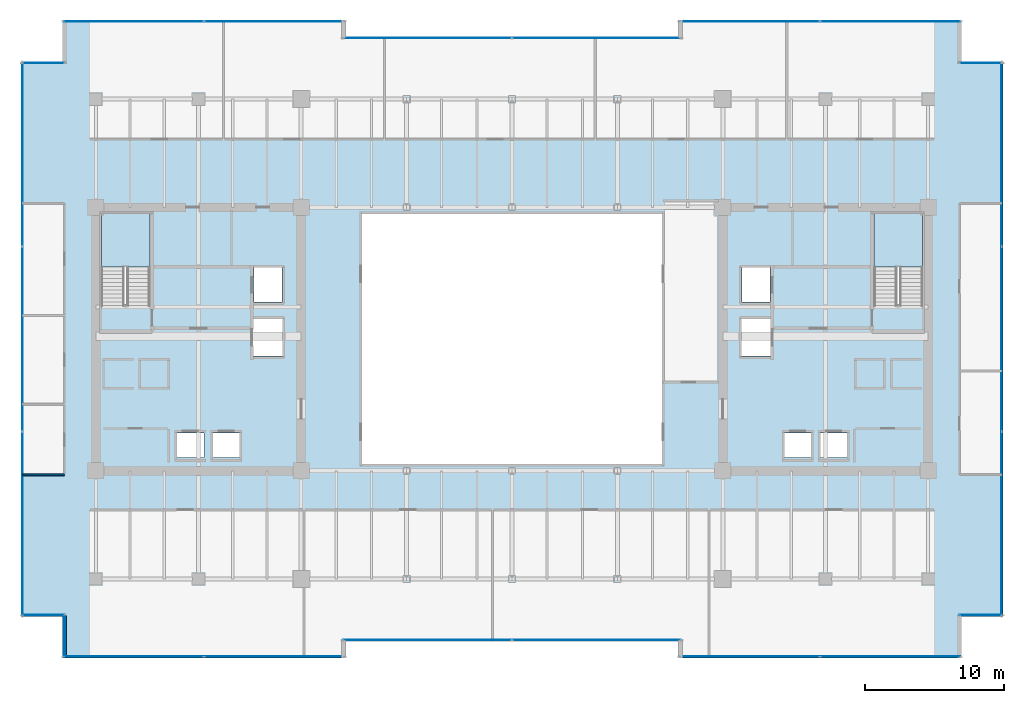
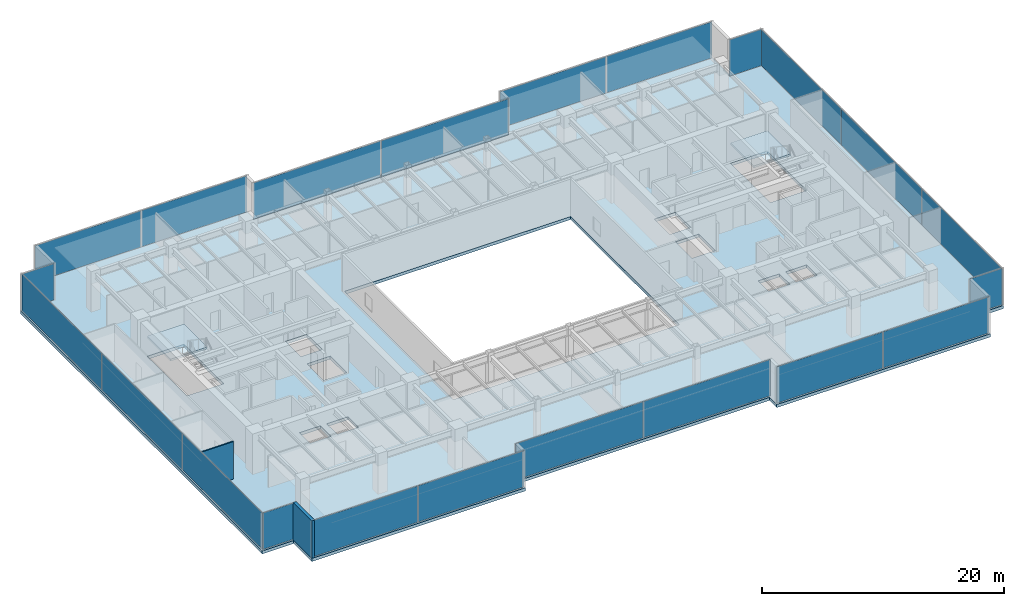
# One storey, part 24 of 34: 22 plates, 3 slabs, 2 walls, 14 elements without a shape of their own.
"""IFC4 building model written with IfcOpenShell, lengths in metres."""

from ifc_helpers import new_model, si_unit, direction, frame, frame_2d, origin, origin_2d, place, context, subcontext, project, spatial, polyline, rectangle, outline, extrude, source, transform, mapped, material, layer, layer_set, type_object, type_shapes, element, aggregate, save


model = new_model("IFC4")

# Units and contexts
model_context = context("Model", 3, precision=1e-05, world=origin(), true_north=direction((0.0, 1.0)))
body_context = subcontext(model_context, "Body", "Model", "MODEL_VIEW")
ifc_project = project(units=[si_unit("LENGTHUNIT", "METRE"), si_unit("AREAUNIT", "SQUARE_METRE"), si_unit("VOLUMEUNIT", "CUBIC_METRE"), si_unit("PLANEANGLEUNIT", "RADIAN"), si_unit("MASSUNIT", "GRAM", prefix="KILO")], contexts=[model_context])

# Site, building, storey
site_placement = place(None, origin())
site = spatial("IfcSite", under=ifc_project, at=site_placement, CompositionType="ELEMENT")
building_placement = place(site_placement, origin())
building = spatial("IfcBuilding", under=site, at=building_placement, Name="Haelvirn Gate Laboratories", CompositionType="ELEMENT")
storey_placement = place(building_placement, frame((0.0, 0.0, 178.89990234375)))
storey = spatial("IfcBuildingStorey", under=building, at=storey_placement, Name="L43", CompositionType="ELEMENT", Elevation=178.89990234375)

# Stair, slab
ifc_material_1 = material(Name="Concrete C40/50", Category="concrete")
stair_type = type_object("IfcStairType", Name="ST-DOG-1650-R22", PredefinedType="HALF_TURN_STAIR", material=ifc_material_1)
stair_1_placement = place(storey_placement, origin())
stair_1 = element("IfcStair", 1, at=stair_1_placement, inside=storey, type_object=stair_type, Name="L43 Escape Stair ST1", PredefinedType="HALF_TURN_STAIR")
ifc_layer_1 = layer(ifc_material_1, 0.199951171875, Name="SL-STAIR-LND")
ifc_layer_set_1 = layer_set([ifc_layer_1], Name="Concrete C40/50")
slab_type_1 = type_object("IfcSlabType", Name="SL-STAIR-LND", PredefinedType="LANDING", material=ifc_layer_set_1)
slab_1_placement = place(storey_placement, frame((0.0, 0.0, 1.85009765625)))
slab_1 = element("IfcSlab", 2, at=slab_1_placement, type_object=slab_type_1, Name="ST1 landing 1", PredefinedType="LANDING", context=body_context, shape_type="SweptSolid", body=[
    extrude(outline(polyline([(11.300048828125, 29.5), (11.300048828125, 33.35009765625), (7.800048828125, 33.35009765625), (7.800048828125, 29.5), (11.300048828125, 29.5)])), origin(), (0.0, 0.0, 1.0), 0.199951171875),
])
aggregate(stair_1, [slab_1])

stair_2_placement = place(storey_placement, origin())
stair_2 = element("IfcStair", 3, at=stair_2_placement, inside=storey, type_object=stair_type, Name="L43 Escape Stair ST2", PredefinedType="HALF_TURN_STAIR")
slab_2_placement = place(storey_placement, frame((0.0, 0.0, 1.85009765625)))
slab_2 = element("IfcSlab", 4, at=slab_2_placement, type_object=slab_type_1, Name="ST2 landing 1", PredefinedType="LANDING", context=body_context, shape_type="SweptSolid", body=[
    extrude(outline(polyline([(67.0, 29.5), (67.0, 33.35009765625), (63.5, 33.35009765625), (63.5, 29.5), (67.0, 29.5)])), origin(), (0.0, 0.0, 1.0), 0.199951171875),
])
aggregate(stair_2, [slab_2])

# Slab
ifc_layer_2 = layer(ifc_material_1, 0.31005859375, Name="SL-Z2-310")
ifc_layer_set_2 = layer_set([ifc_layer_2], Name="Concrete C40/50")
slab_type_2 = type_object("IfcSlabType", Name="SL-Z2-310", PredefinedType="FLOOR", material=ifc_layer_set_2)
slab_3_placement = place(storey_placement, frame((0.0, 0.0, -0.309814453125)))
element("IfcSlab", 5, at=slab_3_placement, inside=storey, type_object=slab_type_2, Name="L43 Structural Slab MAIN", PredefinedType="FLOOR", context=body_context, shape_type="SweptSolid", body=[
    extrude(outline(polyline([(5.0, 1.300048828125), (25.39990234375, 1.300048828125), (25.39990234375, 2.5), (49.39990234375, 2.5), (49.39990234375, 1.300048828125), (69.800048828125, 1.300048828125), (69.800048828125, 4.300048828125), (72.800048828125, 4.300048828125), (72.800048828125, 44.300048828125), (69.800048828125, 44.300048828125), (69.800048828125, 47.300048828125), (49.39990234375, 47.300048828125), (49.39990234375, 46.10009765625), (25.39990234375, 46.10009765625), (25.39990234375, 47.300048828125), (5.0, 47.300048828125), (5.0, 44.300048828125), (2.0, 44.300048828125), (2.0, 4.300048828125), (5.0, 4.300048828125), (5.0, 1.300048828125)]), holes=[polyline([(26.60009765625, 15.300048828125), (48.199951171875, 15.300048828125), (48.199951171875, 33.300048828125), (26.60009765625, 33.300048828125), (26.60009765625, 15.300048828125)]), polyline([(11.300048828125, 26.780029296875), (11.300048828125, 33.35009765625), (7.800048828125, 33.35009765625), (7.800048828125, 26.780029296875), (11.300048828125, 26.780029296875)]), polyline([(67.0, 26.780029296875), (67.0, 33.35009765625), (63.5, 33.35009765625), (63.5, 26.780029296875), (67.0, 26.780029296875)]), polyline([(13.18994140625, 15.77001953125), (15.2099609375, 15.77001953125), (15.2099609375, 17.510009765625), (13.18994140625, 17.510009765625), (13.18994140625, 15.77001953125)]), polyline([(15.7900390625, 15.77001953125), (17.81005859375, 15.77001953125), (17.81005859375, 17.510009765625), (15.7900390625, 17.510009765625), (15.7900390625, 15.77001953125)]), polyline([(18.7900390625, 26.969970703125), (20.81005859375, 26.969970703125), (20.81005859375, 29.510009765625), (18.7900390625, 29.510009765625), (18.7900390625, 26.969970703125)]), polyline([(18.68994140625, 23.070068359375), (20.909912109375, 23.070068359375), (20.909912109375, 25.81005859375), (18.68994140625, 25.81005859375), (18.68994140625, 23.070068359375)]), polyline([(59.590087890625, 15.77001953125), (61.610107421875, 15.77001953125), (61.610107421875, 17.510009765625), (59.590087890625, 17.510009765625), (59.590087890625, 15.77001953125)]), polyline([(56.989990234375, 15.77001953125), (59.010009765625, 15.77001953125), (59.010009765625, 17.510009765625), (56.989990234375, 17.510009765625), (56.989990234375, 15.77001953125)]), polyline([(53.989990234375, 26.969970703125), (56.010009765625, 26.969970703125), (56.010009765625, 29.510009765625), (53.989990234375, 29.510009765625), (53.989990234375, 26.969970703125)]), polyline([(53.889892578125, 23.070068359375), (56.110107421875, 23.070068359375), (56.110107421875, 25.81005859375), (53.889892578125, 25.81005859375), (53.889892578125, 23.070068359375)])]), origin(), (0.0, 0.0, 1.0), 0.309814453125),
])

# Curtain wall, plates
ifc_material_2 = material(Name="Anodised bronze unitised aluminium & triple low-E glass", Category="aluminium")
ifc_layer_3 = layer(ifc_material_2, 0.179931640625, Name="CW-SYS-3")
ifc_layer_set_3 = layer_set([ifc_layer_3], Name="Anodised bronze unitised aluminium & triple low-E glass")
curtain_wall_type_1 = type_object("IfcCurtainWallType", Name="CW-SYS-3", PredefinedType="NOTDEFINED", material=ifc_layer_set_3)
curtain_wall_1_placement = place(storey_placement, origin())
curtain_wall_1 = element("IfcCurtainWall", 6, at=curtain_wall_1_placement, inside=storey, type_object=curtain_wall_type_1, Name="L43 Unitised Curtain Wall CW-L43-P0-E00-1", PredefinedType="NOTDEFINED")
ifc_material_3 = material(Name="High-selectivity bronze triple IGU 40 mm", Category="glass")
ifc_layer_4 = layer(ifc_material_3, 0.0400390625, Name="CWP-IGU-40")
ifc_layer_set_4 = layer_set([ifc_layer_4], Name="High-selectivity bronze triple IGU 40 mm")
plate_type_1 = type_object("IfcPlateType", Name="CWP-IGU-40", PredefinedType="CURTAIN_PANEL", material=ifc_layer_set_4)
shared_shape_1 = source(origin(), body_context, "Body", "SweptSolid", [
    extrude(rectangle(XDim=10.08740234375, YDim=0.0400390625, at=origin_2d()), origin(), (0.0, 0.0, 1.0), 3.659912109375),
])
plate_1_placement = place(storey_placement, frame((10.11865234375, 1.39990234375, 0.06494140625), z_axis=(0.0, 0.0, 1.0), x_axis=(1.0, 0.0, 0.0)))
plate_1 = element("IfcPlate", 7, at=plate_1_placement, type_object=plate_type_1, Name="CW3 panel 1.1", PredefinedType="CURTAIN_PANEL", context=body_context, shape_type="MappedRepresentation", body=[
    mapped(shared_shape_1, transform((0.0, 0.0, 0.0), scale=1.0)),
])
plate_2_placement = place(storey_placement, frame((20.28125, 1.39990234375, 0.06494140625), z_axis=(0.0, 0.0, 1.0), x_axis=(1.0, 0.0, 0.0)))
plate_2 = element("IfcPlate", 8, at=plate_2_placement, type_object=plate_type_1, Name="CW3 panel 2.1", PredefinedType="CURTAIN_PANEL", context=body_context, shape_type="MappedRepresentation", body=[
    mapped(shared_shape_1, transform((0.0, 0.0, 0.0), scale=1.0)),
])
aggregate(curtain_wall_1, [plate_1, plate_2])

curtain_wall_2_placement = place(storey_placement, origin())
curtain_wall_2 = element("IfcCurtainWall", 9, at=curtain_wall_2_placement, inside=storey, type_object=curtain_wall_type_1, Name="L43 Unitised Curtain Wall CW-L43-P0-E04-1", PredefinedType="NOTDEFINED")
plate_3_placement = place(storey_placement, frame((54.518798828125, 1.39990234375, 0.06494140625), z_axis=(0.0, 0.0, 1.0), x_axis=(1.0, 0.0, 0.0)))
plate_3 = element("IfcPlate", 10, at=plate_3_placement, type_object=plate_type_1, Name="CW3 panel 1.1", PredefinedType="CURTAIN_PANEL", context=body_context, shape_type="MappedRepresentation", body=[
    mapped(shared_shape_1, transform((0.0, 0.0, 0.0), scale=1.0)),
])
plate_4_placement = place(storey_placement, frame((64.68115234375, 1.39990234375, 0.06494140625), z_axis=(0.0, 0.0, 1.0), x_axis=(1.0, 0.0, 0.0)))
plate_4 = element("IfcPlate", 11, at=plate_4_placement, type_object=plate_type_1, Name="CW3 panel 2.1", PredefinedType="CURTAIN_PANEL", context=body_context, shape_type="MappedRepresentation", body=[
    mapped(shared_shape_1, transform((0.0, 0.0, 0.0), scale=1.0)),
])
aggregate(curtain_wall_2, [plate_3, plate_4])

curtain_wall_3_placement = place(storey_placement, origin())
curtain_wall_3 = element("IfcCurtainWall", 12, at=curtain_wall_3_placement, inside=storey, type_object=curtain_wall_type_1, Name="L43 Unitised Curtain Wall CW-L43-P0-E10-1", PredefinedType="NOTDEFINED")
plate_5_placement = place(storey_placement, frame((54.518798828125, 47.199951171875, 0.06494140625), z_axis=(0.0, 0.0, 1.0), x_axis=(1.0, 0.0, 0.0)))
plate_5 = element("IfcPlate", 13, at=plate_5_placement, type_object=plate_type_1, Name="CW3 panel 1.1", PredefinedType="CURTAIN_PANEL", context=body_context, shape_type="MappedRepresentation", body=[
    mapped(shared_shape_1, transform((0.0, 0.0, 0.0), scale=1.0)),
])
plate_6_placement = place(storey_placement, frame((64.68115234375, 47.199951171875, 0.06494140625), z_axis=(0.0, 0.0, 1.0), x_axis=(1.0, 0.0, 0.0)))
plate_6 = element("IfcPlate", 14, at=plate_6_placement, type_object=plate_type_1, Name="CW3 panel 2.1", PredefinedType="CURTAIN_PANEL", context=body_context, shape_type="MappedRepresentation", body=[
    mapped(shared_shape_1, transform((0.0, 0.0, 0.0), scale=1.0)),
])
aggregate(curtain_wall_3, [plate_5, plate_6])

curtain_wall_4_placement = place(storey_placement, origin())
curtain_wall_4 = element("IfcCurtainWall", 15, at=curtain_wall_4_placement, inside=storey, type_object=curtain_wall_type_1, Name="L43 Unitised Curtain Wall CW-L43-P0-E14-1", PredefinedType="NOTDEFINED")
plate_7_placement = place(storey_placement, frame((10.11865234375, 47.199951171875, 0.06494140625), z_axis=(0.0, 0.0, 1.0), x_axis=(1.0, 0.0, 0.0)))
plate_7 = element("IfcPlate", 16, at=plate_7_placement, type_object=plate_type_1, Name="CW3 panel 1.1", PredefinedType="CURTAIN_PANEL", context=body_context, shape_type="MappedRepresentation", body=[
    mapped(shared_shape_1, transform((0.0, 0.0, 0.0), scale=1.0)),
])
plate_8_placement = place(storey_placement, frame((20.28125, 47.199951171875, 0.06494140625), z_axis=(0.0, 0.0, 1.0), x_axis=(1.0, 0.0, 0.0)))
plate_8 = element("IfcPlate", 17, at=plate_8_placement, type_object=plate_type_1, Name="CW3 panel 2.1", PredefinedType="CURTAIN_PANEL", context=body_context, shape_type="MappedRepresentation", body=[
    mapped(shared_shape_1, transform((0.0, 0.0, 0.0), scale=1.0)),
])
aggregate(curtain_wall_4, [plate_7, plate_8])

curtain_wall_5_placement = place(storey_placement, origin())
curtain_wall_5 = element("IfcCurtainWall", 18, at=curtain_wall_5_placement, inside=storey, type_object=curtain_wall_type_1, Name="L43 Unitised Curtain Wall CW-L43-P0-E02-1", PredefinedType="NOTDEFINED")
shared_shape_2 = source(origin(), body_context, "Body", "SweptSolid", [
    extrude(rectangle(XDim=12.12744140625, YDim=0.0400390625, at=origin_2d()), origin(), (0.0, 0.0, 1.0), 3.659912109375),
])
plate_9_placement = place(storey_placement, frame((31.298828125, 2.60009765625, 0.06494140625), z_axis=(0.0, 0.0, 1.0), x_axis=(1.0, 0.0, 0.0)))
plate_9 = element("IfcPlate", 19, at=plate_9_placement, type_object=plate_type_1, Name="CW3 panel 1.1", PredefinedType="CURTAIN_PANEL", context=body_context, shape_type="MappedRepresentation", body=[
    mapped(shared_shape_2, transform((0.0, 0.0, 0.0), scale=1.0)),
])
plate_10_placement = place(storey_placement, frame((43.501220703125, 2.60009765625, 0.06494140625), z_axis=(0.0, 0.0, 1.0), x_axis=(1.0, 0.0, 0.0)))
plate_10 = element("IfcPlate", 20, at=plate_10_placement, type_object=plate_type_1, Name="CW3 panel 2.1", PredefinedType="CURTAIN_PANEL", context=body_context, shape_type="MappedRepresentation", body=[
    mapped(shared_shape_2, transform((0.0, 0.0, 0.0), scale=1.0)),
])
aggregate(curtain_wall_5, [plate_9, plate_10])

curtain_wall_6_placement = place(storey_placement, origin())
curtain_wall_6 = element("IfcCurtainWall", 21, at=curtain_wall_6_placement, inside=storey, type_object=curtain_wall_type_1, Name="L43 Unitised Curtain Wall CW-L43-P0-E12-1", PredefinedType="NOTDEFINED")
plate_11_placement = place(storey_placement, frame((31.298828125, 46.0, 0.06494140625), z_axis=(0.0, 0.0, 1.0), x_axis=(1.0, 0.0, 0.0)))
plate_11 = element("IfcPlate", 22, at=plate_11_placement, type_object=plate_type_1, Name="CW3 panel 1.1", PredefinedType="CURTAIN_PANEL", context=body_context, shape_type="MappedRepresentation", body=[
    mapped(shared_shape_2, transform((0.0, 0.0, 0.0), scale=1.0)),
])
plate_12_placement = place(storey_placement, frame((43.501220703125, 46.0, 0.06494140625), z_axis=(0.0, 0.0, 1.0), x_axis=(1.0, 0.0, 0.0)))
plate_12 = element("IfcPlate", 23, at=plate_12_placement, type_object=plate_type_1, Name="CW3 panel 2.1", PredefinedType="CURTAIN_PANEL", context=body_context, shape_type="MappedRepresentation", body=[
    mapped(shared_shape_2, transform((0.0, 0.0, 0.0), scale=1.0)),
])
aggregate(curtain_wall_6, [plate_11, plate_12])

# Curtain wall, plate
ifc_layer_5 = layer(ifc_material_2, 0.181884765625, Name="CW-SYS-5")
ifc_layer_set_5 = layer_set([ifc_layer_5], Name="Anodised bronze unitised aluminium & triple low-E glass")
curtain_wall_type_2 = type_object("IfcCurtainWallType", Name="CW-SYS-5", PredefinedType="NOTDEFINED", material=ifc_layer_set_5)
curtain_wall_7_placement = place(storey_placement, origin())
curtain_wall_7 = element("IfcCurtainWall", 24, at=curtain_wall_7_placement, inside=storey, type_object=curtain_wall_type_2, Name="L43 Unitised Curtain Wall CW-L43-P0-E06-1", PredefinedType="NOTDEFINED")
ifc_material_4 = material(Name="Clear low-iron notched-corner triple IGU 42 mm", Category="glass")
ifc_layer_6 = layer(ifc_material_4, 0.0419921875, Name="CWP-NTC-42")
ifc_layer_set_6 = layer_set([ifc_layer_6], Name="Clear low-iron notched-corner triple IGU 42 mm")
plate_type_2 = type_object("IfcPlateType", Name="CWP-NTC-42", PredefinedType="CURTAIN_PANEL", material=ifc_layer_set_6)
shared_shape_3 = source(origin(), body_context, "Body", "SweptSolid", [
    extrude(rectangle(XDim=3.080078125, YDim=0.0419921875, at=origin_2d()), origin(), (0.0, 0.0, 1.0), 3.659912109375),
])
type_shapes(plate_type_2, [shared_shape_3])
plate_13_placement = place(storey_placement, frame((71.179931640625, 4.39990234375, 0.06494140625), z_axis=(0.0, 0.0, 1.0), x_axis=(1.0, 0.0, 0.0)))
plate_13 = element("IfcPlate", 25, at=plate_13_placement, type_object=plate_type_2, Name="CW5 panel 1.1", PredefinedType="CURTAIN_PANEL", context=body_context, shape_type="MappedRepresentation", body=[
    mapped(shared_shape_3, transform((0.0, 0.0, 0.0), scale=1.0)),
])
aggregate(curtain_wall_7, [plate_13])

curtain_wall_8_placement = place(storey_placement, origin())
curtain_wall_8 = element("IfcCurtainWall", 26, at=curtain_wall_8_placement, inside=storey, type_object=curtain_wall_type_2, Name="L43 Unitised Curtain Wall CW-L43-P0-E08-1", PredefinedType="NOTDEFINED")
plate_14_placement = place(storey_placement, frame((71.179931640625, 44.199951171875, 0.06494140625), z_axis=(0.0, 0.0, 1.0), x_axis=(1.0, 0.0, 0.0)))
plate_14 = element("IfcPlate", 27, at=plate_14_placement, type_object=plate_type_2, Name="CW5 panel 1.1", PredefinedType="CURTAIN_PANEL", context=body_context, shape_type="MappedRepresentation", body=[
    mapped(shared_shape_3, transform((0.0, 0.0, 0.0), scale=1.0)),
])
aggregate(curtain_wall_8, [plate_14])

curtain_wall_9_placement = place(storey_placement, origin())
curtain_wall_9 = element("IfcCurtainWall", 28, at=curtain_wall_9_placement, inside=storey, type_object=curtain_wall_type_2, Name="L43 Unitised Curtain Wall CW-L43-P0-E16-1", PredefinedType="NOTDEFINED")
plate_15_placement = place(storey_placement, frame((3.6201171875, 44.199951171875, 0.06494140625), z_axis=(0.0, 0.0, 1.0), x_axis=(1.0, 0.0, 0.0)))
plate_15 = element("IfcPlate", 29, at=plate_15_placement, type_object=plate_type_2, Name="CW5 panel 1.1", PredefinedType="CURTAIN_PANEL", context=body_context, shape_type="MappedRepresentation", body=[
    mapped(shared_shape_3, transform((0.0, 0.0, 0.0), scale=1.0)),
])
aggregate(curtain_wall_9, [plate_15])

curtain_wall_10_placement = place(storey_placement, origin())
curtain_wall_10 = element("IfcCurtainWall", 30, at=curtain_wall_10_placement, inside=storey, type_object=curtain_wall_type_2, Name="L43 Unitised Curtain Wall CW-L43-P0-E18-1", PredefinedType="NOTDEFINED")
plate_16_placement = place(storey_placement, frame((3.6201171875, 4.39990234375, 0.06494140625), z_axis=(0.0, 0.0, 1.0), x_axis=(1.0, 0.0, 0.0)))
plate_16 = element("IfcPlate", 31, at=plate_16_placement, type_object=plate_type_2, Name="CW5 panel 1.1", PredefinedType="CURTAIN_PANEL", context=body_context, shape_type="MappedRepresentation", body=[
    mapped(shared_shape_3, transform((0.0, 0.0, 0.0), scale=1.0)),
])
aggregate(curtain_wall_10, [plate_16])

# Curtain wall, plates
curtain_wall_11_placement = place(storey_placement, origin())
curtain_wall_11 = element("IfcCurtainWall", 32, at=curtain_wall_11_placement, inside=storey, type_object=curtain_wall_type_1, Name="L43 Unitised Curtain Wall CW-L43-P0-E07", PredefinedType="NOTDEFINED")
shared_shape_4 = source(origin(), body_context, "Body", "SweptSolid", [
    extrude(rectangle(XDim=13.220947265625, YDim=0.0400390625, at=origin_2d()), origin(), (0.0, 0.0, 1.0), 3.659912109375),
])
plate_17_placement = place(storey_placement, frame((72.699951171875, 10.9853515625, 0.06494140625), z_axis=(0.0, 0.0, 1.0), x_axis=(0.0, 1.0, 0.0)))
plate_17 = element("IfcPlate", 33, at=plate_17_placement, type_object=plate_type_1, Name="CW3 panel 1.1", PredefinedType="CURTAIN_PANEL", context=body_context, shape_type="MappedRepresentation", body=[
    mapped(shared_shape_4, transform((0.0, 0.0, 0.0), scale=1.0)),
])
plate_18_placement = place(storey_placement, frame((72.699951171875, 37.614501953125, 0.06494140625), z_axis=(0.0, 0.0, 1.0), x_axis=(0.0, 1.0, 0.0)))
plate_18 = element("IfcPlate", 34, at=plate_18_placement, type_object=plate_type_1, Name="CW3 panel 3.1", PredefinedType="CURTAIN_PANEL", context=body_context, shape_type="MappedRepresentation", body=[
    mapped(shared_shape_4, transform((0.0, 0.0, 0.0), scale=1.0)),
])

curtain_wall_12_placement = place(storey_placement, origin())
curtain_wall_12 = element("IfcCurtainWall", 35, at=curtain_wall_12_placement, inside=storey, type_object=curtain_wall_type_1, Name="L43 Unitised Curtain Wall CW-L43-P0-E17", PredefinedType="NOTDEFINED")
plate_19_placement = place(storey_placement, frame((2.10009765625, 37.614501953125, 0.06494140625), z_axis=(0.0, 0.0, 1.0), x_axis=(0.0, -1.0, 0.0)))
plate_19 = element("IfcPlate", 36, at=plate_19_placement, type_object=plate_type_1, Name="CW3 panel 1.1", PredefinedType="CURTAIN_PANEL", context=body_context, shape_type="MappedRepresentation", body=[
    mapped(shared_shape_4, transform((0.0, 0.0, 0.0), scale=1.0)),
])
plate_20_placement = place(storey_placement, frame((2.10009765625, 10.9853515625, 0.06494140625), z_axis=(0.0, 0.0, 1.0), x_axis=(0.0, -1.0, 0.0)))
plate_20 = element("IfcPlate", 37, at=plate_20_placement, type_object=plate_type_1, Name="CW3 panel 3.1", PredefinedType="CURTAIN_PANEL", context=body_context, shape_type="MappedRepresentation", body=[
    mapped(shared_shape_4, transform((0.0, 0.0, 0.0), scale=1.0)),
])

# Plate
shared_shape_5 = source(origin(), body_context, "Body", "SweptSolid", [
    extrude(rectangle(XDim=13.25830078125, YDim=0.0400390625, at=origin_2d()), origin(), (0.0, 0.0, 1.0), 3.659912109375),
])
type_shapes(plate_type_1, [shared_shape_1, shared_shape_2, shared_shape_4, shared_shape_5])
plate_21_placement = place(storey_placement, frame((72.699951171875, 24.300048828125, 0.06494140625), z_axis=(0.0, 0.0, 1.0), x_axis=(0.0, 1.0, 0.0)))
plate_21 = element("IfcPlate", 38, at=plate_21_placement, type_object=plate_type_1, Name="CW3 panel 2.1", PredefinedType="CURTAIN_PANEL", context=body_context, shape_type="MappedRepresentation", body=[
    mapped(shared_shape_5, transform((0.0, 0.0, 0.0), scale=1.0)),
])

aggregate(curtain_wall_11, [plate_17, plate_21, plate_18])

plate_22_placement = place(storey_placement, frame((2.10009765625, 24.300048828125, 0.06494140625), z_axis=(0.0, 0.0, 1.0), x_axis=(0.0, -1.0, 0.0)))
plate_22 = element("IfcPlate", 39, at=plate_22_placement, type_object=plate_type_1, Name="CW3 panel 2.1", PredefinedType="CURTAIN_PANEL", context=body_context, shape_type="MappedRepresentation", body=[
    mapped(shared_shape_5, transform((0.0, 0.0, 0.0), scale=1.0)),
])

aggregate(curtain_wall_12, [plate_19, plate_22, plate_20])

# Walls
ifc_material_5 = material(Name="Thermally-broken bronze aluminium rainscreen & mineral wool", Category="aluminium")
ifc_layer_7 = layer(ifc_material_5, 0.280029296875, Name="EW-TERR-280")
ifc_layer_set_7 = layer_set([ifc_layer_7], Name="Thermally-broken bronze aluminium rainscreen & mineral wool")
wall_type_1 = type_object("IfcWallType", Name="EW-TERR-280", PredefinedType="STANDARD", material=ifc_layer_set_7)
wall_1_placement = place(storey_placement, frame((5.139892578125, 4.387939453125, 0.0), z_axis=(0.0, 0.0, 1.0), x_axis=(0.0, -1.0, 0.0)))
element("IfcWall", 40, at=wall_1_placement, inside=storey, type_object=wall_type_1, Name="L43 Atrium Recess Bronze Return Wall 19", PredefinedType="STANDARD", context=body_context, shape_type="SweptSolid", body=[
    extrude(rectangle(XDim=3.087890625, YDim=0.280029296875, at=frame_2d((1.5439453125, 0.0))), origin(), (0.0, 0.0, 1.0), 3.7900390625),
])
ifc_material_6 = material(Name="Lightweight acoustic gypsum board partition", Category="gypsum")
ifc_layer_8 = layer(ifc_material_6, 0.1201171875, Name="IW-PART-120")
ifc_layer_set_8 = layer_set([ifc_layer_8], Name="Lightweight acoustic gypsum board partition")
wall_type_2 = type_object("IfcWallType", Name="IW-PART-120", PredefinedType="PARTITIONING", material=ifc_layer_set_8)
wall_2_placement = place(storey_placement, frame((2.110107421875, 14.514892578125, 0.0), z_axis=(0.0, 0.0, 1.0), x_axis=(1.0, 0.0, 0.0)))
element("IfcWall", 41, at=wall_2_placement, inside=storey, type_object=wall_type_2, Name="L43 Interior Wall IW-L43-WCAP-S", PredefinedType="PARTITIONING", context=body_context, shape_type="SweptSolid", body=[
    extrude(rectangle(XDim=3.019775390625, YDim=0.1201171875, at=frame_2d((1.509765625, 0.0))), origin(), (0.0, 0.0, 1.0), 3.7900390625),
])

save(model, "model.ifc")
